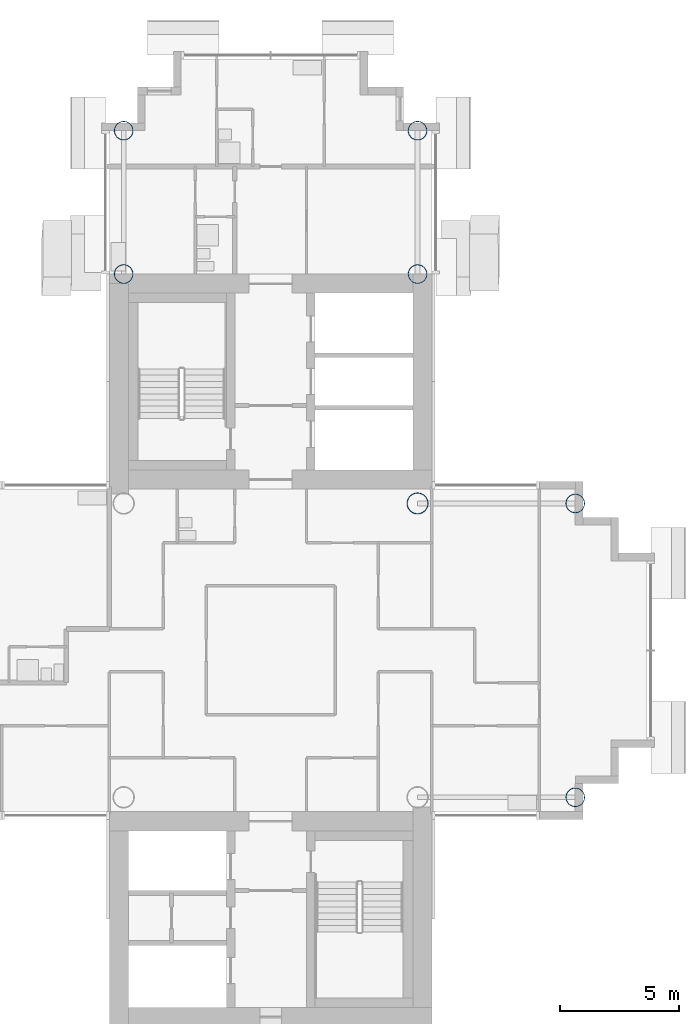
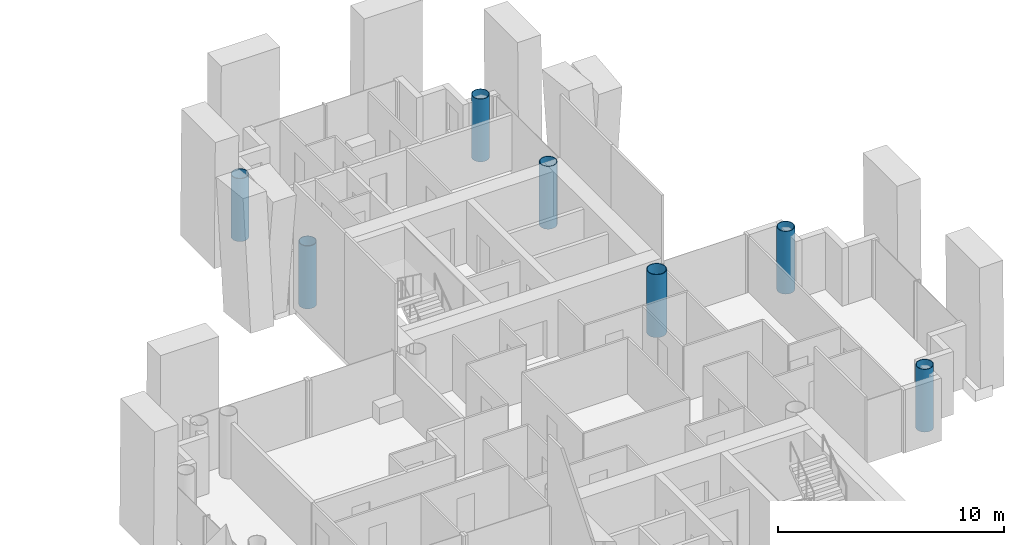
# One storey, part 2 of 18: 7 columns.
"""IFC4 building model written with IfcOpenShell, lengths in metres."""

from ifc_helpers import new_model, si_unit, direction, frame, origin, origin_2d, place, context, subcontext, project, spatial, hollow_circle, extrude, material, material_profile, profile_set, type_object, element, save


model = new_model("IFC4")

# Units and contexts
model_context = context("Model", 3, precision=1e-05, world=origin(), true_north=direction((0.0, 1.0)))
body_context = subcontext(model_context, "Body", "Model", "MODEL_VIEW")
ifc_project = project(units=[si_unit("LENGTHUNIT", "METRE"), si_unit("AREAUNIT", "SQUARE_METRE"), si_unit("VOLUMEUNIT", "CUBIC_METRE"), si_unit("PLANEANGLEUNIT", "RADIAN"), si_unit("MASSUNIT", "GRAM", prefix="KILO")], contexts=[model_context])

# Site, building, storey
site_placement = place(None, origin())
site = spatial("IfcSite", under=ifc_project, at=site_placement, CompositionType="ELEMENT")
building_placement = place(site_placement, origin())
building = spatial("IfcBuilding", under=site, at=building_placement, Name="Ipe Terrace Towers", CompositionType="ELEMENT")
storey_placement = place(building_placement, frame((0.0, 0.0, 150.699951171875)))
storey = spatial("IfcBuildingStorey", under=building, at=storey_placement, Name="L41", CompositionType="ELEMENT", Elevation=150.699951171875)

# Columns
ifc_material_1 = material(Name="Steel S355 tube with Concrete C60/75 fill", Category="concrete")
ifc_material_profile_1 = material_profile(ifc_material_1, hollow_circle(Radius=0.39990234375, WallThickness=0.028076171875, at=origin_2d()), Name="CHS-800x28")
ifc_profile_set_1 = profile_set([ifc_material_profile_1], Name="Steel S355 tube with Concrete C60/75 fill")
column_type_1 = type_object("IfcColumnType", Name="CH09 COLUMN CHS-800x28", PredefinedType="COLUMN", material=ifc_profile_set_1)
for number, where, z_axis, x_axis, name in (
    (1, (42.14990234375, 15.75, 0.0), (0.0, 0.0, 1.0), (1.0, 0.0, 0.0), "Column T2-C-A01"),
    (2, (29.85009765625, 15.75, 0.0), (0.0, 0.0, 1.0), (1.0, 0.0, 0.0), "Column T2-C-A02"),
    (3, (42.14990234375, 21.75, 0.0), (0.0, 0.0, 1.0), (1.0, 0.0, 0.0), "Column T2-C-A03"),
    (4, (29.85009765625, 21.75, 0.0), (0.0, 0.0, 1.0), (1.0, 0.0, 0.0), "Column T2-C-A04"),
    (5, (48.75, -6.14990234375, 0.0), (0.0, 0.0, 1.0), (1.0, 0.0, 0.0), "Column T2-C-D01"),
    (6, (48.75, 6.14990234375, 0.0), (0.0, 0.0, 1.0), (1.0, 0.0, 0.0), "Column T2-C-D02"),
):
    element("IfcColumn", number, at=place(storey_placement, frame(where, z_axis=z_axis, x_axis=x_axis)), inside=storey, type_object=column_type_1, Name=name, PredefinedType="COLUMN", context=body_context, shape_type="SweptSolid", body=[
        extrude(hollow_circle(Radius=0.39990234375, WallThickness=0.028076171875, at=origin_2d()), origin(), (0.0, 0.0, 1.0), 3.400146484375),
    ])
ifc_material_2 = material(Name="Steel S355 tube with Concrete C60/75 fill", Category="concrete")
ifc_material_profile_2 = material_profile(ifc_material_2, hollow_circle(Radius=0.449951171875, WallThickness=0.031982421875, at=origin_2d()), Name="CHS-900x32")
ifc_profile_set_2 = profile_set([ifc_material_profile_2], Name="Steel S355 tube with Concrete C60/75 fill")
column_type_2 = type_object("IfcColumnType", Name="CH10 COLUMN CHS-900x32", PredefinedType="COLUMN", material=ifc_profile_set_2)
column_placement = place(storey_placement, frame((42.14990234375, 6.14990234375, 0.0), z_axis=(0.0, 0.0, 1.0), x_axis=(1.0, 0.0, 0.0)))
element("IfcColumn", 7, at=column_placement, inside=storey, type_object=column_type_2, Name="Column T2-C-E02", PredefinedType="COLUMN", context=body_context, shape_type="SweptSolid", body=[
    extrude(hollow_circle(Radius=0.449951171875, WallThickness=0.031982421875, at=origin_2d()), origin(), (0.0, 0.0, 1.0), 3.400146484375),
])

save(model, "model.ifc")
